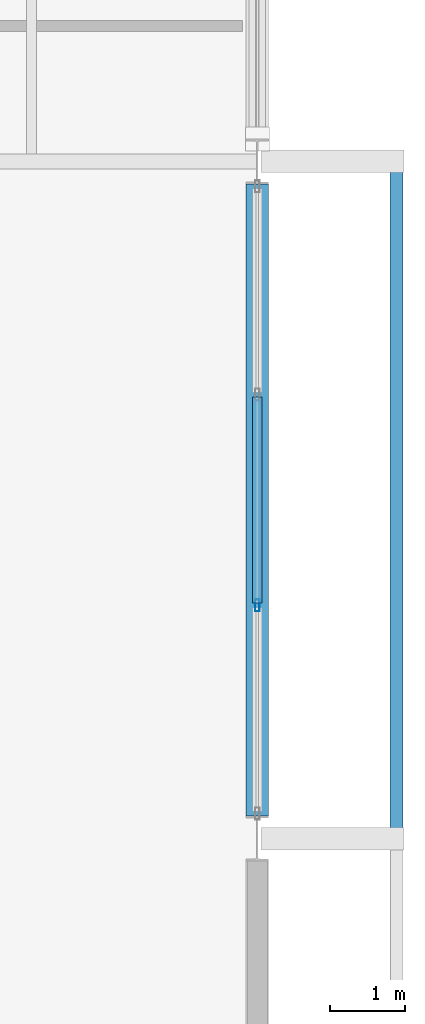
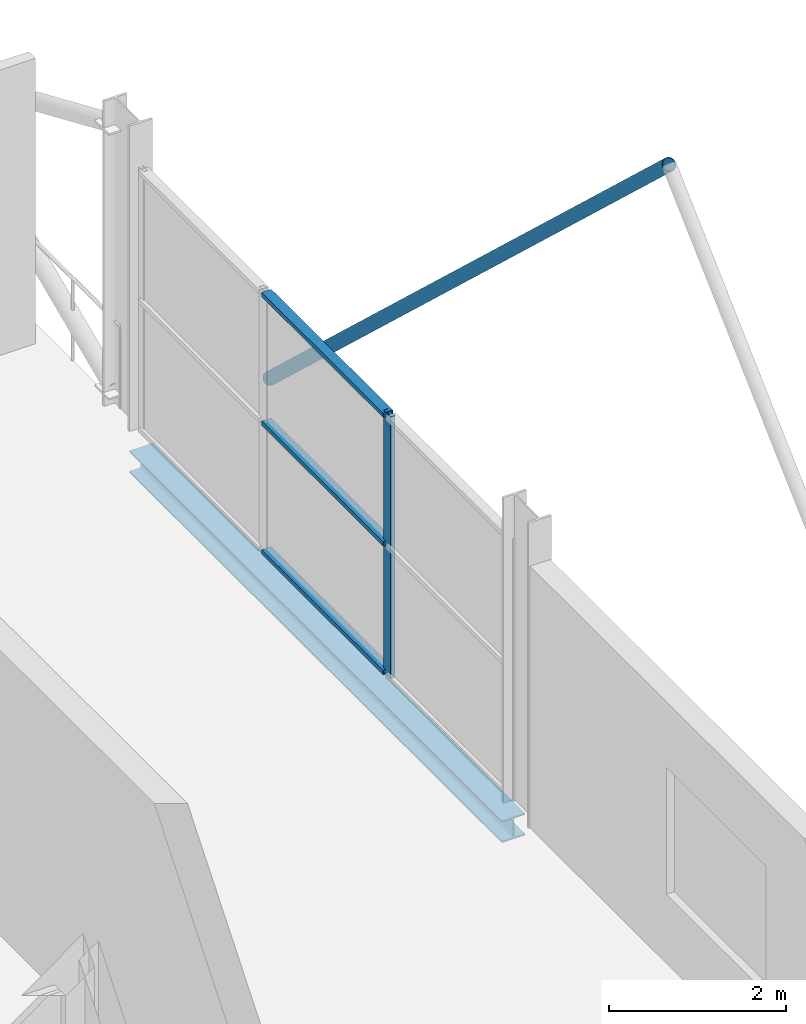
# One storey, part 62 of 103: 5 members, 1 beam, 1 element without a shape of its own.
"""IFC4 building model written with IfcOpenShell, lengths in metres."""

from ifc_helpers import new_model, si_unit, direction, frame, origin, origin_2d, place, context, subcontext, project, spatial, hollow_rectangle, hollow_circle, i_section, extrude, material, layer, layer_set, material_profile, profile_set, type_object, element, aggregate, save


model = new_model("IFC4")

# Units and contexts
model_context = context("Model", 3, precision=1e-05, world=origin(), true_north=direction((0.0, 1.0)))
body_context = subcontext(model_context, "Body", "Model", "MODEL_VIEW")
ifc_project = project(units=[si_unit("LENGTHUNIT", "METRE"), si_unit("AREAUNIT", "SQUARE_METRE"), si_unit("VOLUMEUNIT", "CUBIC_METRE"), si_unit("PLANEANGLEUNIT", "RADIAN"), si_unit("MASSUNIT", "GRAM", prefix="KILO")], contexts=[model_context])

# Site, building, storey
site_placement = place(None, origin())
site = spatial("IfcSite", under=ifc_project, at=site_placement, CompositionType="ELEMENT")
building_placement = place(site_placement, origin())
building = spatial("IfcBuilding", under=site, at=building_placement, Name="Deido Ridge Mobility Hub", CompositionType="ELEMENT")
storey_placement = place(building_placement, frame((0.0, 0.0, 12.60009765625)))
storey = spatial("IfcBuildingStorey", under=building, at=storey_placement, Name="L03", CompositionType="ELEMENT", Elevation=12.60009765625)

# Curtain wall, member
ifc_material_1 = material(Name="Anodised aluminium EN AW-6063 T6", Category="aluminium")
ifc_layer = layer(ifc_material_1, 0.195068359375, Name="Anodised aluminium EN AW-6063 T6")
ifc_layer_set = layer_set([ifc_layer], Name="Anodised aluminium EN AW-6063 T6")
curtain_wall_type = type_object("IfcCurtainWallType", Name="CW-UF-3", PredefinedType="USERDEFINED", material=ifc_layer_set)
curtain_wall_placement = place(storey_placement, origin())
curtain_wall = element("IfcCurtainWall", 1, at=curtain_wall_placement, inside=storey, type_object=curtain_wall_type, Name="Unitised curtain wall CW3", ObjectType="UNITISED FACADE", PredefinedType="USERDEFINED")
ifc_material_profile_1 = material_profile(ifc_material_1, hollow_rectangle(XDim=0.06005859375, YDim=0.159912109375, WallThickness=0.00390625, at=origin_2d()), Name="RHS 60x160x4")
ifc_profile_set_1 = profile_set([ifc_material_profile_1], Name="Anodised aluminium EN AW-6063 T6")
member_type_1 = type_object("IfcMemberType", Name="MEM-MUL-60X160", PredefinedType="MULLION", material=ifc_profile_set_1)
member_1_placement = place(storey_placement, frame((180.0, 48.10009765625, 0.0), z_axis=(0.0, 0.0, 1.0), x_axis=(-1.0, 0.0, 0.0)))
member_1 = element("IfcMember", 2, at=member_1_placement, type_object=member_type_1, Name="CW3 mullion 2", PredefinedType="MULLION", context=body_context, shape_type="SweptSolid", body=[
    extrude(hollow_rectangle(XDim=0.06005859375, YDim=0.159912109375, WallThickness=0.00390625, at=origin_2d()), origin(), (0.0, 0.0, 1.0), 3.599853515625),
])

# Member
ifc_material_2 = material(Name="Steel S355J2H EN 10210-1", Category="steel")
ifc_material_profile_2 = material_profile(ifc_material_2, hollow_circle(Radius=0.084228515625, WallThickness=0.008056640625, at=origin_2d()), Name="CHS 168.3x8")
ifc_profile_set_2 = profile_set([ifc_material_profile_2], Name="Steel S355J2H EN 10210-1")
member_type_2 = type_object("IfcMemberType", Name="MEM-STR-CHS168", PredefinedType="STRUT", material=ifc_profile_set_2)
member_2_placement = place(storey_placement, frame((181.85009765625, 54.0, -0.150146484375), z_axis=(0.0, -0.731049333052, 0.682324609438), x_axis=(1.0, 0.0, 0.0)))
element("IfcMember", 3, at=member_2_placement, inside=storey, type_object=member_type_2, Name="Deconstructivist facade diagrid strut SR1", PredefinedType="STRUT", context=body_context, shape_type="SweptSolid", body=[
    extrude(hollow_circle(Radius=0.084228515625, WallThickness=0.008056640625, at=origin_2d()), origin(), (0.0, 0.0, 1.0), 12.31103515625),
])

ifc_material_profile_3 = material_profile(ifc_material_1, hollow_rectangle(XDim=0.125, YDim=0.06005859375, WallThickness=0.00390625, at=origin_2d()), Name="RHS 125x60x4")
ifc_profile_set_3 = profile_set([ifc_material_profile_3], Name="Anodised aluminium EN AW-6063 T6")
member_type_3 = type_object("IfcMemberType", Name="MEM-TRN-125X60", PredefinedType="USERDEFINED", material=ifc_profile_set_3)
member_3_placement = place(storey_placement, frame((180.0, 48.1298828125, 0.02978515625), z_axis=(0.0, 1.0, 0.0), x_axis=(-1.0, 0.0, 0.0)))
member_3 = element("IfcMember", 4, at=member_3_placement, type_object=member_type_3, Name="CW3 transom 2.1", ObjectType="TRANSOM", PredefinedType="USERDEFINED", context=body_context, shape_type="SweptSolid", body=[
    extrude(hollow_rectangle(XDim=0.125, YDim=0.06005859375, WallThickness=0.00390625, at=origin_2d()), origin(), (0.0, 0.0, 1.0), 2.740234375),
])

member_4_placement = place(storey_placement, frame((180.0, 48.1298828125, 1.7998046875), z_axis=(0.0, 1.0, 0.0), x_axis=(-1.0, 0.0, 0.0)))
member_4 = element("IfcMember", 5, at=member_4_placement, type_object=member_type_3, Name="CW3 transom 2.2", ObjectType="TRANSOM", PredefinedType="USERDEFINED", context=body_context, shape_type="SweptSolid", body=[
    extrude(hollow_rectangle(XDim=0.125, YDim=0.06005859375, WallThickness=0.00390625, at=origin_2d()), origin(), (0.0, 0.0, 1.0), 2.740234375),
])

member_5_placement = place(storey_placement, frame((180.0, 48.1298828125, 3.56982421875), z_axis=(0.0, 1.0, 0.0), x_axis=(-1.0, 0.0, 0.0)))
member_5 = element("IfcMember", 6, at=member_5_placement, type_object=member_type_3, Name="CW3 transom 2.3", ObjectType="TRANSOM", PredefinedType="USERDEFINED", context=body_context, shape_type="SweptSolid", body=[
    extrude(hollow_rectangle(XDim=0.125, YDim=0.06005859375, WallThickness=0.00390625, at=origin_2d()), origin(), (0.0, 0.0, 1.0), 2.740234375),
])

aggregate(curtain_wall, [member_1, member_3, member_4, member_5])

# Beam
ifc_material_3 = material(Name="Steel S355J2 EN 10025-2", Category="steel")
ifc_material_profile_4 = material_profile(ifc_material_3, i_section(OverallWidth=0.300048828125, OverallDepth=0.300048828125, WebThickness=0.010986328125, FlangeThickness=0.01904296875, FilletRadius=0.027099609375, at=origin_2d()), Name="HEB 300")
ifc_profile_set_4 = profile_set([ifc_material_profile_4], Name="Steel S355J2 EN 10025-2")
beam_type = type_object("IfcBeamType", Name="SPD-HEB300", PredefinedType="SPANDREL", material=ifc_profile_set_4)
beam_placement = place(storey_placement, frame((180.0, 45.300048828125, -0.4150390625), z_axis=(0.0, 1.0, 0.0), x_axis=(-1.0, 0.0, 0.0)))
element("IfcBeam", 7, at=beam_placement, inside=storey, type_object=beam_type, Name="Floor beam SP1", PredefinedType="SPANDREL", context=body_context, shape_type="SweptSolid", body=[
    extrude(i_section(OverallWidth=0.300048828125, OverallDepth=0.300048828125, WebThickness=0.010986328125, FlangeThickness=0.01904296875, FilletRadius=0.027099609375, at=origin_2d()), origin(), (0.0, 0.0, 1.0), 8.39990234375),
])

save(model, "model.ifc")
